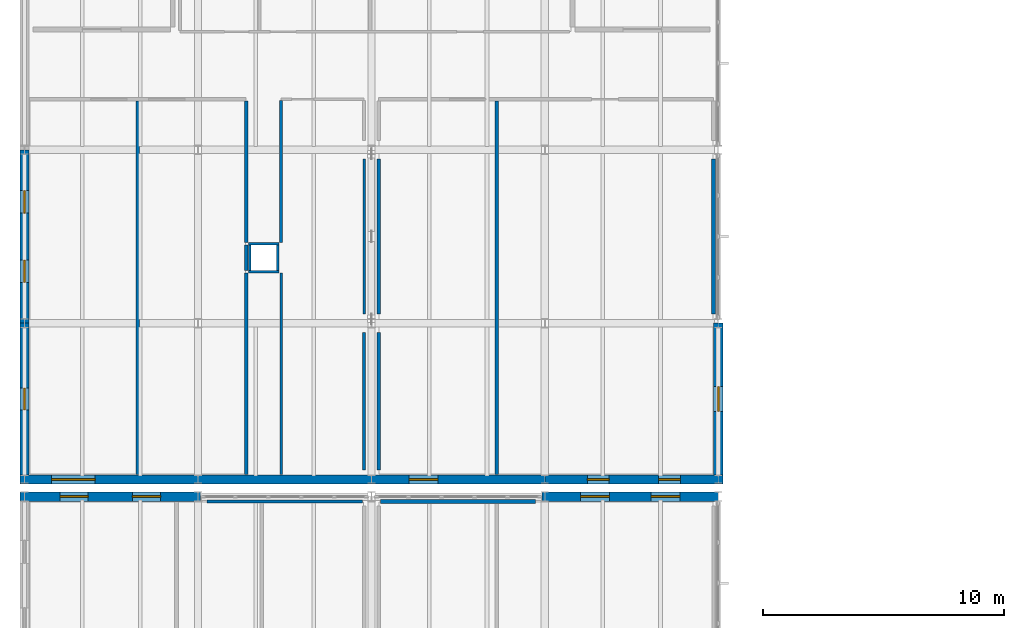
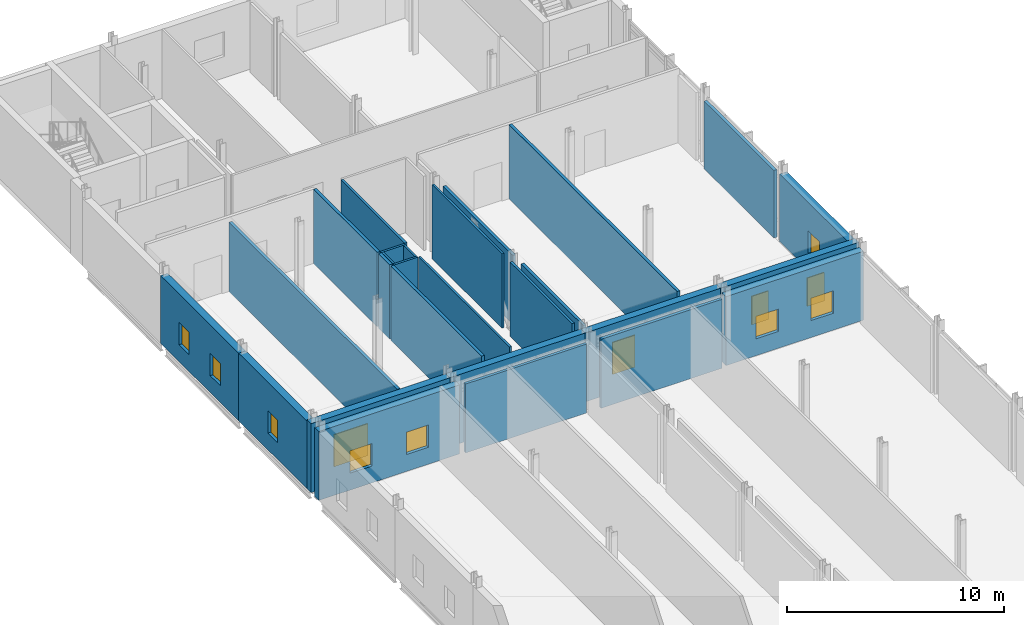
# One storey, part 55 of 76: 27 walls, 12 windows, 12 openings.
"""IFC4 building model written with IfcOpenShell, lengths in metres."""

from ifc_helpers import new_model, si_unit, direction, frame, frame_2d, origin, place, context, subcontext, project, spatial, rectangle, extrude, material, layer, layer_set, type_object, element, fill, save


model = new_model("IFC4")

# Units and contexts
model_context = context("Model", 3, precision=1e-05, world=origin(), true_north=direction((0.0, 1.0)))
body_context = subcontext(model_context, "Body", "Model", "MODEL_VIEW")
ifc_project = project(units=[si_unit("LENGTHUNIT", "METRE"), si_unit("AREAUNIT", "SQUARE_METRE"), si_unit("VOLUMEUNIT", "CUBIC_METRE"), si_unit("PLANEANGLEUNIT", "RADIAN"), si_unit("MASSUNIT", "GRAM", prefix="KILO")], contexts=[model_context])

# Site, building, storey
site_placement = place(None, origin())
site = spatial("IfcSite", under=ifc_project, at=site_placement, CompositionType="ELEMENT")
building_placement = place(site_placement, origin())
building = spatial("IfcBuilding", under=site, at=building_placement, Name="Zarrinpeak Specialist Clinic", CompositionType="ELEMENT")
storey_placement = place(building_placement, frame((0.0, 0.0, 5.199951171875)))
storey = spatial("IfcBuildingStorey", under=building, at=storey_placement, Name="L01", CompositionType="ELEMENT", Elevation=5.199951171875)

# Wall, openings, windows
ifc_material_1 = material(Name="Precast concrete C40/50", Category="concrete")
ifc_layer_1 = layer(ifc_material_1, 0.3798828125)
ifc_layer_set_1 = layer_set([ifc_layer_1], Name="Precast concrete C40/50")
wall_type_1 = type_object("IfcWallType", Name="WL-EW380", PredefinedType="STANDARD", material=ifc_layer_set_1)
wall_1_placement = place(storey_placement, frame((7.31005859375, 50.39990234375, 0.0), z_axis=(0.0, 0.0, 1.0), x_axis=(-1.0, 0.0, 0.0)))
wall_1 = element("IfcWall", 1, at=wall_1_placement, inside=storey, type_object=wall_type_1, Name="L01 V1 Exterior GRC Wall EW-L01-V1-0019", PredefinedType="STANDARD", context=body_context, shape_type="SweptSolid", body=[
    extrude(rectangle(XDim=7.5, YDim=0.3798828125, at=frame_2d((3.75, 0.0))), origin(), (0.0, 0.0, 1.0), 3.880126953125),
])
opening_1_placement = place(wall_1_placement, frame((1.6669921875, 0.0, 0.949951171875)))
opening_1 = element("IfcOpeningElement", 2, at=opening_1_placement, cuts=wall_1, Name="Opening WS-10", PredefinedType="OPENING", context=body_context, shape_type="SweptSolid", body=[
    extrude(rectangle(XDim=1.166015625, YDim=1.260009765625, at=frame_2d((0.5830078125, 0.6298828125))), frame((0.0, 0.199951171875, 0.0), z_axis=(0.0, -1.0, 0.0), x_axis=(1.0, 0.0, 0.0)), (0.0, 0.0, 1.0), 0.39990234375),
])
opening_2_placement = place(wall_1_placement, frame((4.6669921875, 0.0, 0.949951171875)))
opening_2 = element("IfcOpeningElement", 3, at=opening_2_placement, cuts=wall_1, Name="Opening WS-10", PredefinedType="OPENING", context=body_context, shape_type="SweptSolid", body=[
    extrude(rectangle(XDim=1.166015625, YDim=1.260009765625, at=frame_2d((0.5830078125, 0.6298828125))), frame((0.0, 0.199951171875, 0.0), z_axis=(0.0, -1.0, 0.0), x_axis=(1.0, 0.0, 0.0)), (0.0, 0.0, 1.0), 0.39990234375),
])
ifc_material_2 = material(Name="Thermally Broken Aluminium and Low-E Glazing", Category="aluminium")
window_type_1 = type_object("IfcWindowType", Name="WN-SP10", PartitioningType="SINGLE_PANEL", PredefinedType="WINDOW", material=ifc_material_2)
window_1_placement = place(opening_1_placement, origin())
window_1 = element("IfcWindow", 4, at=window_1_placement, inside=storey, type_object=window_type_1, Name="L01 Modular Facade Window WN-L01-0025", OverallHeight=1.260009765625, OverallWidth=1.166015625, PartitioningType="SINGLE_PANEL", PredefinedType="WINDOW", context=body_context, shape_type="SweptSolid", body=[
    extrude(rectangle(XDim=1.166015625, YDim=1.260009765625, at=frame_2d((0.5830078125, 0.6298828125))), frame((0.0, 0.030029296875, 0.0), z_axis=(0.0, -1.0, 0.0), x_axis=(1.0, 0.0, 0.0)), (0.0, 0.0, 1.0), 0.06005859375),
])
fill(opening_1, window_1)
window_2_placement = place(opening_2_placement, origin())
window_2 = element("IfcWindow", 5, at=window_2_placement, inside=storey, type_object=window_type_1, Name="L01 Modular Facade Window WN-L01-0026", OverallHeight=1.260009765625, OverallWidth=1.166015625, PartitioningType="SINGLE_PANEL", PredefinedType="WINDOW", context=body_context, shape_type="SweptSolid", body=[
    extrude(rectangle(XDim=1.166015625, YDim=1.260009765625, at=frame_2d((0.5830078125, 0.6298828125))), frame((0.0, 0.030029296875, 0.0), z_axis=(0.0, -1.0, 0.0), x_axis=(1.0, 0.0, 0.0)), (0.0, 0.0, 1.0), 0.06005859375),
])
fill(opening_2, window_2)

wall_2_placement = place(storey_placement, frame((28.800048828125, 50.39990234375, 0.0), z_axis=(0.0, 0.0, 1.0), x_axis=(-1.0, 0.0, 0.0)))
wall_2 = element("IfcWall", 6, at=wall_2_placement, inside=storey, type_object=wall_type_1, Name="L01 V1 Exterior GRC Wall EW-L01-V1-0020", PredefinedType="STANDARD", context=body_context, shape_type="SweptSolid", body=[
    extrude(rectangle(XDim=7.31005859375, YDim=0.3798828125, at=frame_2d((3.655029296875, 0.0))), origin(), (0.0, 0.0, 1.0), 3.880126953125),
])
opening_3_placement = place(wall_2_placement, frame((1.593017578125, 0.0, 0.949951171875)))
opening_3 = element("IfcOpeningElement", 7, at=opening_3_placement, cuts=wall_2, Name="Opening WS-11", PredefinedType="OPENING", context=body_context, shape_type="SweptSolid", body=[
    extrude(rectangle(XDim=1.199951171875, YDim=1.260009765625, at=frame_2d((0.60009765625, 0.6298828125))), frame((0.0, 0.199951171875, 0.0), z_axis=(0.0, -1.0, 0.0), x_axis=(1.0, 0.0, 0.0)), (0.0, 0.0, 1.0), 0.39990234375),
])
opening_4_placement = place(wall_2_placement, frame((4.51708984375, 0.0, 0.949951171875)))
opening_4 = element("IfcOpeningElement", 8, at=opening_4_placement, cuts=wall_2, Name="Opening WS-11", PredefinedType="OPENING", context=body_context, shape_type="SweptSolid", body=[
    extrude(rectangle(XDim=1.199951171875, YDim=1.260009765625, at=frame_2d((0.60009765625, 0.6298828125))), frame((0.0, 0.199951171875, 0.0), z_axis=(0.0, -1.0, 0.0), x_axis=(1.0, 0.0, 0.0)), (0.0, 0.0, 1.0), 0.39990234375),
])
window_type_2 = type_object("IfcWindowType", Name="WN-SP11", PartitioningType="SINGLE_PANEL", PredefinedType="WINDOW", material=ifc_material_2)
window_3_placement = place(opening_3_placement, origin())
window_3 = element("IfcWindow", 9, at=window_3_placement, inside=storey, type_object=window_type_2, Name="L01 Modular Facade Window WN-L01-0027", OverallHeight=1.260009765625, OverallWidth=1.199951171875, PartitioningType="SINGLE_PANEL", PredefinedType="WINDOW", context=body_context, shape_type="SweptSolid", body=[
    extrude(rectangle(XDim=1.199951171875, YDim=1.260009765625, at=frame_2d((0.60009765625, 0.6298828125))), frame((0.0, 0.030029296875, 0.0), z_axis=(0.0, -1.0, 0.0), x_axis=(1.0, 0.0, 0.0)), (0.0, 0.0, 1.0), 0.06005859375),
])
fill(opening_3, window_3)
window_4_placement = place(opening_4_placement, origin())
window_4 = element("IfcWindow", 10, at=window_4_placement, inside=storey, type_object=window_type_2, Name="L01 Modular Facade Window WN-L01-0028", OverallHeight=1.260009765625, OverallWidth=1.199951171875, PartitioningType="SINGLE_PANEL", PredefinedType="WINDOW", context=body_context, shape_type="SweptSolid", body=[
    extrude(rectangle(XDim=1.199951171875, YDim=1.260009765625, at=frame_2d((0.60009765625, 0.6298828125))), frame((0.0, 0.030029296875, 0.0), z_axis=(0.0, -1.0, 0.0), x_axis=(1.0, 0.0, 0.0)), (0.0, 0.0, 1.0), 0.06005859375),
])
fill(opening_4, window_4)

# Wall, opening, window
wall_3_placement = place(storey_placement, frame((-0.18994140625, 51.1201171875, 0.0), z_axis=(0.0, 0.0, 1.0), x_axis=(1.0, 0.0, 0.0)))
wall_3 = element("IfcWall", 11, at=wall_3_placement, inside=storey, type_object=wall_type_1, Name="L01 V5 Exterior GRC Wall EW-L01-V5-0225", PredefinedType="STANDARD", context=body_context, shape_type="SweptSolid", body=[
    extrude(rectangle(XDim=7.389892578125, YDim=0.3798828125, at=frame_2d((3.69482421875, 0.0))), origin(), (0.0, 0.0, 1.0), 3.880126953125),
])
opening_5_placement = place(wall_3_placement, frame((1.31689453125, 0.0, 0.89990234375)))
opening_5 = element("IfcOpeningElement", 12, at=opening_5_placement, cuts=wall_3, Name="Opening W-01", PredefinedType="OPENING", context=body_context, shape_type="SweptSolid", body=[
    extrude(rectangle(XDim=1.800048828125, YDim=1.800048828125, at=frame_2d((0.89990234375, 0.89990234375))), frame((0.0, 0.199951171875, 0.0), z_axis=(0.0, -1.0, 0.0), x_axis=(1.0, 0.0, 0.0)), (0.0, 0.0, 1.0), 0.39990234375),
])
window_type_3 = type_object("IfcWindowType", Name="WN-CL180", PartitioningType="SINGLE_PANEL", PredefinedType="WINDOW", material=ifc_material_2)
window_5_placement = place(opening_5_placement, origin())
window_5 = element("IfcWindow", 13, at=window_5_placement, inside=storey, type_object=window_type_3, Name="L01 Modular Facade Window WN-L01-0260", OverallHeight=1.800048828125, OverallWidth=1.800048828125, PartitioningType="SINGLE_PANEL", PredefinedType="WINDOW", context=body_context, shape_type="SweptSolid", body=[
    extrude(rectangle(XDim=1.800048828125, YDim=1.800048828125, at=frame_2d((0.89990234375, 0.89990234375))), frame((0.0, 0.030029296875, 0.0), z_axis=(0.0, -1.0, 0.0), x_axis=(1.0, 0.0, 0.0)), (0.0, 0.0, 1.0), 0.06005859375),
])
fill(opening_5, window_5)

# Wall
wall_4_placement = place(storey_placement, frame((7.199951171875, 51.1201171875, 0.0), z_axis=(0.0, 0.0, 1.0), x_axis=(1.0, 0.0, 0.0)))
element("IfcWall", 14, at=wall_4_placement, inside=storey, type_object=wall_type_1, Name="L01 V5 Exterior GRC Wall EW-L01-V5-0226", PredefinedType="STANDARD", context=body_context, shape_type="SweptSolid", body=[
    extrude(rectangle(XDim=7.199951171875, YDim=0.3798828125, at=frame_2d((3.60009765625, 0.0))), origin(), (0.0, 0.0, 1.0), 3.880126953125),
])

# Wall, opening, window
wall_5_placement = place(storey_placement, frame((14.39990234375, 51.1201171875, 0.0), z_axis=(0.0, 0.0, 1.0), x_axis=(1.0, 0.0, 0.0)))
wall_5 = element("IfcWall", 15, at=wall_5_placement, inside=storey, type_object=wall_type_1, Name="L01 V5 Exterior GRC Wall EW-L01-V5-0227", PredefinedType="STANDARD", context=body_context, shape_type="SweptSolid", body=[
    extrude(rectangle(XDim=7.2001953125, YDim=0.3798828125, at=frame_2d((3.60009765625, 0.0))), origin(), (0.0, 0.0, 1.0), 3.880126953125),
])
opening_6_placement = place(wall_5_placement, frame((1.56005859375, 0.0, 0.89990234375)))
opening_6 = element("IfcOpeningElement", 16, at=opening_6_placement, cuts=wall_5, Name="Opening W-03", PredefinedType="OPENING", context=body_context, shape_type="SweptSolid", body=[
    extrude(rectangle(XDim=1.199951171875, YDim=1.800048828125, at=frame_2d((0.60009765625, 0.89990234375))), frame((0.0, 0.199951171875, 0.0), z_axis=(0.0, -1.0, 0.0), x_axis=(1.0, 0.0, 0.0)), (0.0, 0.0, 1.0), 0.39990234375),
])
window_type_4 = type_object("IfcWindowType", Name="WN-CL120", PartitioningType="SINGLE_PANEL", PredefinedType="WINDOW", material=ifc_material_2)
window_6_placement = place(opening_6_placement, origin())
window_6 = element("IfcWindow", 17, at=window_6_placement, inside=storey, type_object=window_type_4, Name="L01 Modular Facade Window WN-L01-0261", OverallHeight=1.800048828125, OverallWidth=1.199951171875, PartitioningType="SINGLE_PANEL", PredefinedType="WINDOW", context=body_context, shape_type="SweptSolid", body=[
    extrude(rectangle(XDim=1.199951171875, YDim=1.800048828125, at=frame_2d((0.60009765625, 0.89990234375))), frame((0.0, 0.030029296875, 0.0), z_axis=(0.0, -1.0, 0.0), x_axis=(1.0, 0.0, 0.0)), (0.0, 0.0, 1.0), 0.06005859375),
])
fill(opening_6, window_6)

# Wall, openings, windows
wall_6_placement = place(storey_placement, frame((21.60009765625, 51.1201171875, 0.0), z_axis=(0.0, 0.0, 1.0), x_axis=(1.0, 0.0, 0.0)))
wall_6 = element("IfcWall", 18, at=wall_6_placement, inside=storey, type_object=wall_type_1, Name="L01 V5 Exterior GRC Wall EW-L01-V5-0228", PredefinedType="STANDARD", context=body_context, shape_type="SweptSolid", body=[
    extrude(rectangle(XDim=7.389892578125, YDim=0.3798828125, at=frame_2d((3.69482421875, 0.0))), origin(), (0.0, 0.0, 1.0), 3.880126953125),
])
opening_7_placement = place(wall_6_placement, frame((1.76708984375, 0.0, 1.10009765625)))
opening_7 = element("IfcOpeningElement", 19, at=opening_7_placement, cuts=wall_6, Name="Opening W-07", PredefinedType="OPENING", context=body_context, shape_type="SweptSolid", body=[
    extrude(rectangle(XDim=0.89990234375, YDim=1.60009765625, at=frame_2d((0.449951171875, 0.800048828125))), frame((0.0, 0.199951171875, 0.0), z_axis=(0.0, -1.0, 0.0), x_axis=(1.0, 0.0, 0.0)), (0.0, 0.0, 1.0), 0.39990234375),
])
opening_8_placement = place(wall_6_placement, frame((4.722900390625, 0.0, 1.10009765625)))
opening_8 = element("IfcOpeningElement", 20, at=opening_8_placement, cuts=wall_6, Name="Opening W-07", PredefinedType="OPENING", context=body_context, shape_type="SweptSolid", body=[
    extrude(rectangle(XDim=0.89990234375, YDim=1.60009765625, at=frame_2d((0.449951171875, 0.800048828125))), frame((0.0, 0.199951171875, 0.0), z_axis=(0.0, -1.0, 0.0), x_axis=(1.0, 0.0, 0.0)), (0.0, 0.0, 1.0), 0.39990234375),
])
window_type_5 = type_object("IfcWindowType", Name="WN-OBS90", PartitioningType="SINGLE_PANEL", PredefinedType="WINDOW", material=ifc_material_2)
window_7_placement = place(opening_7_placement, origin())
window_7 = element("IfcWindow", 21, at=window_7_placement, inside=storey, type_object=window_type_5, Name="L01 Modular Facade Window WN-L01-0262", OverallHeight=1.60009765625, OverallWidth=0.89990234375, PartitioningType="SINGLE_PANEL", PredefinedType="WINDOW", context=body_context, shape_type="SweptSolid", body=[
    extrude(rectangle(XDim=0.89990234375, YDim=1.60009765625, at=frame_2d((0.449951171875, 0.800048828125))), frame((0.0, 0.030029296875, 0.0), z_axis=(0.0, -1.0, 0.0), x_axis=(1.0, 0.0, 0.0)), (0.0, 0.0, 1.0), 0.06005859375),
])
fill(opening_7, window_7)
window_8_placement = place(opening_8_placement, origin())
window_8 = element("IfcWindow", 22, at=window_8_placement, inside=storey, type_object=window_type_5, Name="L01 Modular Facade Window WN-L01-0263", OverallHeight=1.60009765625, OverallWidth=0.89990234375, PartitioningType="SINGLE_PANEL", PredefinedType="WINDOW", context=body_context, shape_type="SweptSolid", body=[
    extrude(rectangle(XDim=0.89990234375, YDim=1.60009765625, at=frame_2d((0.449951171875, 0.800048828125))), frame((0.0, 0.030029296875, 0.0), z_axis=(0.0, -1.0, 0.0), x_axis=(1.0, 0.0, 0.0)), (0.0, 0.0, 1.0), 0.06005859375),
])
fill(opening_8, window_8)

# Wall, opening, window
wall_7_placement = place(storey_placement, frame((0.0, 57.60009765625, 0.0), z_axis=(0.0, 0.0, 1.0), x_axis=(0.0, -1.0, 0.0)))
wall_7 = element("IfcWall", 23, at=wall_7_placement, inside=storey, type_object=wall_type_1, Name="L01 V5 Exterior GRC Wall EW-L01-V5-0233", PredefinedType="STANDARD", context=body_context, shape_type="SweptSolid", body=[
    extrude(rectangle(XDim=6.2900390625, YDim=0.3798828125, at=frame_2d((3.14501953125, 0.0))), origin(), (0.0, 0.0, 1.0), 3.81005859375),
])
opening_9_placement = place(wall_7_placement, frame((2.697998046875, 0.0, 0.949951171875)))
opening_9 = element("IfcOpeningElement", 24, at=opening_9_placement, cuts=wall_7, Name="Opening WS-02", PredefinedType="OPENING", context=body_context, shape_type="SweptSolid", body=[
    extrude(rectangle(XDim=0.89404296875, YDim=1.260009765625, at=frame_2d((0.447021484375, 0.6298828125))), frame((0.0, 0.199951171875, 0.0), z_axis=(0.0, -1.0, 0.0), x_axis=(1.0, 0.0, 0.0)), (0.0, 0.0, 1.0), 0.39990234375),
])
window_type_6 = type_object("IfcWindowType", Name="WN-SP02", PartitioningType="SINGLE_PANEL", PredefinedType="WINDOW", material=ifc_material_2)
window_9_placement = place(opening_9_placement, origin())
window_9 = element("IfcWindow", 25, at=window_9_placement, inside=storey, type_object=window_type_6, Name="L01 Modular Facade Window WN-L01-0268", OverallHeight=1.260009765625, OverallWidth=0.89404296875, PartitioningType="SINGLE_PANEL", PredefinedType="WINDOW", context=body_context, shape_type="SweptSolid", body=[
    extrude(rectangle(XDim=0.89404296875, YDim=1.260009765625, at=frame_2d((0.447021484375, 0.6298828125))), frame((0.0, 0.030029296875, 0.0), z_axis=(0.0, -1.0, 0.0), x_axis=(1.0, 0.0, 0.0)), (0.0, 0.0, 1.0), 0.06005859375),
])
fill(opening_9, window_9)

# Wall, openings, windows
wall_8_placement = place(storey_placement, frame((0.0, 64.800048828125, 0.0), z_axis=(0.0, 0.0, 1.0), x_axis=(0.0, -1.0, 0.0)))
wall_8 = element("IfcWall", 26, at=wall_8_placement, inside=storey, type_object=wall_type_1, Name="L01 V5 Exterior GRC Wall EW-L01-V5-0234", PredefinedType="STANDARD", context=body_context, shape_type="SweptSolid", body=[
    extrude(rectangle(XDim=7.199951171875, YDim=0.3798828125, at=frame_2d((3.60009765625, 0.0))), origin(), (0.0, 0.0, 1.0), 3.81005859375),
])
opening_10_placement = place(wall_8_placement, frame((1.696044921875, 0.0, 0.949951171875)))
opening_10 = element("IfcOpeningElement", 27, at=opening_10_placement, cuts=wall_8, Name="Opening WS-03", PredefinedType="OPENING", context=body_context, shape_type="SweptSolid", body=[
    extrude(rectangle(XDim=0.927978515625, YDim=1.260009765625, at=frame_2d((0.4638671875, 0.6298828125))), frame((0.0, 0.199951171875, 0.0), z_axis=(0.0, -1.0, 0.0), x_axis=(1.0, 0.0, 0.0)), (0.0, 0.0, 1.0), 0.39990234375),
])
opening_11_placement = place(wall_8_placement, frame((4.575927734375, 0.0, 0.949951171875)))
opening_11 = element("IfcOpeningElement", 28, at=opening_11_placement, cuts=wall_8, Name="Opening WS-03", PredefinedType="OPENING", context=body_context, shape_type="SweptSolid", body=[
    extrude(rectangle(XDim=0.927978515625, YDim=1.260009765625, at=frame_2d((0.4638671875, 0.6298828125))), frame((0.0, 0.199951171875, 0.0), z_axis=(0.0, -1.0, 0.0), x_axis=(1.0, 0.0, 0.0)), (0.0, 0.0, 1.0), 0.39990234375),
])
window_type_7 = type_object("IfcWindowType", Name="WN-SP03", PartitioningType="SINGLE_PANEL", PredefinedType="WINDOW", material=ifc_material_2)
window_10_placement = place(opening_10_placement, origin())
window_10 = element("IfcWindow", 29, at=window_10_placement, inside=storey, type_object=window_type_7, Name="L01 Modular Facade Window WN-L01-0269", OverallHeight=1.260009765625, OverallWidth=0.927978515625, PartitioningType="SINGLE_PANEL", PredefinedType="WINDOW", context=body_context, shape_type="SweptSolid", body=[
    extrude(rectangle(XDim=0.927978515625, YDim=1.260009765625, at=frame_2d((0.4638671875, 0.6298828125))), frame((0.0, 0.030029296875, 0.0), z_axis=(0.0, -1.0, 0.0), x_axis=(1.0, 0.0, 0.0)), (0.0, 0.0, 1.0), 0.06005859375),
])
fill(opening_10, window_10)
window_11_placement = place(opening_11_placement, origin())
window_11 = element("IfcWindow", 30, at=window_11_placement, inside=storey, type_object=window_type_7, Name="L01 Modular Facade Window WN-L01-0270", OverallHeight=1.260009765625, OverallWidth=0.927978515625, PartitioningType="SINGLE_PANEL", PredefinedType="WINDOW", context=body_context, shape_type="SweptSolid", body=[
    extrude(rectangle(XDim=0.927978515625, YDim=1.260009765625, at=frame_2d((0.4638671875, 0.6298828125))), frame((0.0, 0.030029296875, 0.0), z_axis=(0.0, -1.0, 0.0), x_axis=(1.0, 0.0, 0.0)), (0.0, 0.0, 1.0), 0.06005859375),
])
fill(opening_11, window_11)

# Wall, opening, window
wall_9_placement = place(storey_placement, frame((28.800048828125, 51.31005859375, 0.0), z_axis=(0.0, 0.0, 1.0), x_axis=(0.0, 1.0, 0.0)))
wall_9 = element("IfcWall", 31, at=wall_9_placement, inside=storey, type_object=wall_type_1, Name="L01 V5 Exterior GRC Wall EW-L01-V5-0237", PredefinedType="STANDARD", context=body_context, shape_type="SweptSolid", body=[
    extrude(rectangle(XDim=6.2900390625, YDim=0.3798828125, at=frame_2d((3.14501953125, 0.0))), origin(), (0.0, 0.0, 1.0), 3.81005859375),
])
opening_12_placement = place(wall_9_placement, frame((2.6298828125, 0.0, 0.949951171875)))
opening_12 = element("IfcOpeningElement", 32, at=opening_12_placement, cuts=wall_9, Name="Opening WS-06", PredefinedType="OPENING", context=body_context, shape_type="SweptSolid", body=[
    extrude(rectangle(XDim=1.030029296875, YDim=1.260009765625, at=frame_2d((0.51513671875, 0.6298828125))), frame((0.0, 0.199951171875, 0.0), z_axis=(0.0, -1.0, 0.0), x_axis=(1.0, 0.0, 0.0)), (0.0, 0.0, 1.0), 0.39990234375),
])
window_type_8 = type_object("IfcWindowType", Name="WN-SP06", PartitioningType="SINGLE_PANEL", PredefinedType="WINDOW", material=ifc_material_2)
window_12_placement = place(opening_12_placement, origin())
window_12 = element("IfcWindow", 33, at=window_12_placement, inside=storey, type_object=window_type_8, Name="L01 Modular Facade Window WN-L01-0271", OverallHeight=1.260009765625, OverallWidth=1.030029296875, PartitioningType="SINGLE_PANEL", PredefinedType="WINDOW", context=body_context, shape_type="SweptSolid", body=[
    extrude(rectangle(XDim=1.030029296875, YDim=1.260009765625, at=frame_2d((0.51513671875, 0.6298828125))), frame((0.0, 0.030029296875, 0.0), z_axis=(0.0, -1.0, 0.0), x_axis=(1.0, 0.0, 0.0)), (0.0, 0.0, 1.0), 0.06005859375),
])
fill(opening_12, window_12)

# Walls
ifc_material_3 = material(Name="Sanitary Service Chase Plumbing Wall", Category="gypsum")
ifc_layer_2 = layer(ifc_material_3, 0.110107421875)
ifc_layer_set_2 = layer_set([ifc_layer_2], Name="Sanitary Service Chase Plumbing Wall")
wall_type_2 = type_object("IfcWallType", Name="WL-IW110", PredefinedType="PARTITIONING", material=ifc_layer_set_2)
for number, where, z_axis, x_axis, name in (
    (34, (9.2900390625, 59.7451171875, 0.0), (0.0, 0.0, 1.0), (1.0, 0.0, 0.0), "L01 V5 Enclosed MEP Service Riser Wall S"),
    (35, (9.2900390625, 60.905029296875, 0.0), (0.0, 0.0, 1.0), (1.0, 0.0, 0.0), "L01 V5 Enclosed MEP Service Riser Wall N"),
):
    element("IfcWall", number, at=place(storey_placement, frame(where, z_axis=z_axis, x_axis=x_axis)), inside=storey, type_object=wall_type_2, Name=name, PredefinedType="PARTITIONING", context=body_context, shape_type="SweptSolid", body=[
        extrude(rectangle(XDim=1.27001953125, YDim=0.110107421875, at=frame_2d((0.635009765625, 0.0))), origin(), (0.0, 0.0, 1.0), 4.18505859375),
    ])
for number, where, z_axis, x_axis, name in (
    (36, (9.344970703125, 59.800048828125, 0.0), (0.0, 0.0, 1.0), (0.0, 1.0, 0.0), "L01 V5 Enclosed MEP Service Riser Wall W"),
    (37, (10.5048828125, 59.800048828125, 0.0), (0.0, 0.0, 1.0), (0.0, 1.0, 0.0), "L01 V5 Enclosed MEP Service Riser Wall E"),
):
    element("IfcWall", number, at=place(storey_placement, frame(where, z_axis=z_axis, x_axis=x_axis)), inside=storey, type_object=wall_type_2, Name=name, PredefinedType="PARTITIONING", context=body_context, shape_type="SweptSolid", body=[
        extrude(rectangle(XDim=1.050048828125, YDim=0.110107421875, at=frame_2d((0.52490234375, 0.0))), origin(), (0.0, 0.0, 1.0), 4.18505859375),
    ])
wall_10_placement = place(storey_placement, frame((10.64990234375, 51.320068359375, 0.0), z_axis=(0.0, 0.0, 1.0), x_axis=(0.0, 1.0, 0.0)))
element("IfcWall", 38, at=wall_10_placement, inside=storey, type_object=wall_type_2, Name="L01 Staff WC Dividing Partition", PredefinedType="PARTITIONING", context=body_context, shape_type="SweptSolid", body=[
    extrude(rectangle(XDim=8.369873046875, YDim=0.110107421875, at=frame_2d((4.18505859375, 0.0))), origin(), (0.0, 0.0, 1.0), 4.18505859375),
])
wall_11_placement = place(storey_placement, frame((14.10009765625, 57.97998046875, 0.0), z_axis=(0.0, 0.0, 1.0), x_axis=(0.0, 1.0, 0.0)))
element("IfcWall", 39, at=wall_11_placement, inside=storey, type_object=wall_type_2, Name="L01 Staff WC Dividing Partition", PredefinedType="PARTITIONING", context=body_context, shape_type="SweptSolid", body=[
    extrude(rectangle(XDim=6.43994140625, YDim=0.110107421875, at=frame_2d((3.219970703125, 0.0))), origin(), (0.0, 0.0, 1.0), 4.18505859375),
])
ifc_material_4 = material(Name="Moisture-Resistant Wet-Room Partition", Category="gypsum")
ifc_layer_3 = layer(ifc_material_4, 0.125)
ifc_layer_set_3 = layer_set([ifc_layer_3], Name="Moisture-Resistant Wet-Room Partition")
wall_type_3 = type_object("IfcWallType", Name="WL-IW125W", PredefinedType="PARTITIONING", material=ifc_layer_set_3)
wall_12_placement = place(storey_placement, frame((10.64990234375, 60.9599609375, 0.0), z_axis=(0.0, 0.0, 1.0), x_axis=(0.0, 1.0, 0.0)))
element("IfcWall", 40, at=wall_12_placement, inside=storey, type_object=wall_type_3, Name="L01 Staff WC Dividing Partition", PredefinedType="PARTITIONING", context=body_context, shape_type="SweptSolid", body=[
    extrude(rectangle(XDim=5.885009765625, YDim=0.125, at=frame_2d((2.9423828125, 0.0))), origin(), (0.0, 0.0, 1.0), 4.18505859375),
])
wall_13_placement = place(storey_placement, frame((14.10009765625, 51.5, 0.0), z_axis=(0.0, 0.0, 1.0), x_axis=(0.0, 1.0, 0.0)))
element("IfcWall", 41, at=wall_13_placement, inside=storey, type_object=wall_type_3, Name="L01 Staff WC Dividing Partition", PredefinedType="PARTITIONING", context=body_context, shape_type="SweptSolid", body=[
    extrude(rectangle(XDim=5.719970703125, YDim=0.125, at=frame_2d((2.85986328125, 0.0))), origin(), (0.0, 0.0, 1.0), 4.18505859375),
])
ifc_material_5 = material(Name="Acoustic Consultation Stud Partition", Category="gypsum")
ifc_layer_4 = layer(ifc_material_5, 0.14208984375)
ifc_layer_set_4 = layer_set([ifc_layer_4], Name="Acoustic Consultation Stud Partition")
wall_type_4 = type_object("IfcWallType", Name="WL-IW142", PredefinedType="PARTITIONING", material=ifc_layer_set_4)
wall_14_placement = place(storey_placement, frame((7.580078125, 50.199951171875, 0.0), z_axis=(0.0, 0.0, 1.0), x_axis=(1.0, 0.0, 0.0)))
element("IfcWall", 42, at=wall_14_placement, inside=storey, type_object=wall_type_4, Name="L01 Cardiology Echocardiography Room Partition", PredefinedType="PARTITIONING", context=body_context, shape_type="SweptSolid", body=[
    extrude(rectangle(XDim=6.43994140625, YDim=0.14208984375, at=frame_2d((3.219970703125, 0.0))), origin(), (0.0, 0.0, 1.0), 3.880126953125),
])
ifc_material_6 = material(Name="Lead-Lined X-Ray Diagnostic Partition", Category="gypsum")
ifc_layer_5 = layer(ifc_material_6, 0.157958984375)
ifc_layer_set_5 = layer_set([ifc_layer_5], Name="Lead-Lined X-Ray Diagnostic Partition")
wall_type_5 = type_object("IfcWallType", Name="WL-IW158", PredefinedType="PARTITIONING", material=ifc_layer_set_5)
wall_15_placement = place(storey_placement, frame((4.699951171875, 51.320068359375, 0.0), z_axis=(0.0, 0.0, 1.0), x_axis=(0.0, 1.0, 0.0)))
element("IfcWall", 43, at=wall_15_placement, inside=storey, type_object=wall_type_5, Name="L01 Digital Mammography and Dexa Suite Dividing Partition", PredefinedType="PARTITIONING", context=body_context, shape_type="SweptSolid", body=[
    extrude(rectangle(XDim=15.5009765625, YDim=0.157958984375, at=frame_2d((7.75048828125, 0.0))), origin(), (0.0, 0.0, 1.0), 3.900146484375),
])
wall_16_placement = place(storey_placement, frame((9.199951171875, 51.320068359375, 0.0), z_axis=(0.0, 0.0, 1.0), x_axis=(0.0, 1.0, 0.0)))
element("IfcWall", 44, at=wall_16_placement, inside=storey, type_object=wall_type_5, Name="L01 Digital Mammography and Dexa Suite Dividing Partition", PredefinedType="PARTITIONING", context=body_context, shape_type="SweptSolid", body=[
    extrude(rectangle(XDim=8.369873046875, YDim=0.157958984375, at=frame_2d((4.18505859375, 0.0))), origin(), (0.0, 0.0, 1.0), 4.18505859375),
])
wall_17_placement = place(storey_placement, frame((9.199951171875, 59.800048828125, 0.0), z_axis=(0.0, 0.0, 1.0), x_axis=(0.0, 1.0, 0.0)))
element("IfcWall", 45, at=wall_17_placement, inside=storey, type_object=wall_type_5, Name="L01 Digital Mammography and Dexa Suite Dividing Partition", PredefinedType="PARTITIONING", context=body_context, shape_type="SweptSolid", body=[
    extrude(rectangle(XDim=1.050048828125, YDim=0.157958984375, at=frame_2d((0.52490234375, 0.0))), origin(), (0.0, 0.0, 1.0), 4.18505859375),
])
wall_18_placement = place(storey_placement, frame((9.199951171875, 60.9599609375, 0.0), z_axis=(0.0, 0.0, 1.0), x_axis=(0.0, 1.0, 0.0)))
element("IfcWall", 46, at=wall_18_placement, inside=storey, type_object=wall_type_5, Name="L01 Digital Mammography and Dexa Suite Dividing Partition", PredefinedType="PARTITIONING", context=body_context, shape_type="SweptSolid", body=[
    extrude(rectangle(XDim=5.861083984375, YDim=0.157958984375, at=frame_2d((2.9306640625, 0.0))), origin(), (0.0, 0.0, 1.0), 4.18505859375),
])
wall_19_placement = place(storey_placement, frame((14.699951171875, 51.5, 0.0), z_axis=(0.0, 0.0, 1.0), x_axis=(0.0, 1.0, 0.0)))
element("IfcWall", 47, at=wall_19_placement, inside=storey, type_object=wall_type_5, Name="L01 Ultrasound Diagnostic Bay Dividing Partition", PredefinedType="PARTITIONING", context=body_context, shape_type="SweptSolid", body=[
    extrude(rectangle(XDim=5.719970703125, YDim=0.157958984375, at=frame_2d((2.85986328125, 0.0))), origin(), (0.0, 0.0, 1.0), 3.880126953125),
])
wall_20_placement = place(storey_placement, frame((14.699951171875, 57.97998046875, 0.0), z_axis=(0.0, 0.0, 1.0), x_axis=(0.0, 1.0, 0.0)))
element("IfcWall", 48, at=wall_20_placement, inside=storey, type_object=wall_type_5, Name="L01 Ultrasound Diagnostic Bay Dividing Partition", PredefinedType="PARTITIONING", context=body_context, shape_type="SweptSolid", body=[
    extrude(rectangle(XDim=6.43994140625, YDim=0.157958984375, at=frame_2d((3.219970703125, 0.0))), origin(), (0.0, 0.0, 1.0), 3.880126953125),
])
wall_21_placement = place(storey_placement, frame((19.60009765625, 51.320068359375, 0.0), z_axis=(0.0, 0.0, 1.0), x_axis=(0.0, 1.0, 0.0)))
element("IfcWall", 49, at=wall_21_placement, inside=storey, type_object=wall_type_5, Name="L01 Ultrasound Diagnostic Bay Dividing Partition", PredefinedType="PARTITIONING", context=body_context, shape_type="SweptSolid", body=[
    extrude(rectangle(XDim=15.5009765625, YDim=0.157958984375, at=frame_2d((7.75048828125, 0.0))), origin(), (0.0, 0.0, 1.0), 4.18505859375),
])
ifc_material_7 = material(Name="Acoustic Double Gypsum Stud Partition", Category="gypsum")
ifc_layer_6 = layer(ifc_material_7, 0.159912109375)
ifc_layer_set_6 = layer_set([ifc_layer_6], Name="Acoustic Double Gypsum Stud Partition")
wall_type_6 = type_object("IfcWallType", Name="WL-IW160", PredefinedType="PARTITIONING", material=ifc_layer_set_6)
wall_22_placement = place(storey_placement, frame((14.780029296875, 50.199951171875, 0.0), z_axis=(0.0, 0.0, 1.0), x_axis=(1.0, 0.0, 0.0)))
element("IfcWall", 50, at=wall_22_placement, inside=storey, type_object=wall_type_6, Name="L01 Cardiac Stress Testing Room Partition", PredefinedType="PARTITIONING", context=body_context, shape_type="SweptSolid", body=[
    extrude(rectangle(XDim=6.43994140625, YDim=0.159912109375, at=frame_2d((3.219970703125, 0.0))), origin(), (0.0, 0.0, 1.0), 3.880126953125),
])
wall_23_placement = place(storey_placement, frame((28.60009765625, 57.97998046875, 0.0), z_axis=(0.0, 0.0, 1.0), x_axis=(0.0, 1.0, 0.0)))
element("IfcWall", 51, at=wall_23_placement, inside=storey, type_object=wall_type_6, Name="L01 Specialist Consultation Room 2 Dividing Partition", PredefinedType="PARTITIONING", context=body_context, shape_type="SweptSolid", body=[
    extrude(rectangle(XDim=6.43994140625, YDim=0.159912109375, at=frame_2d((3.219970703125, 0.0))), origin(), (0.0, 0.0, 1.0), 3.81005859375),
])

save(model, "model.ifc")
